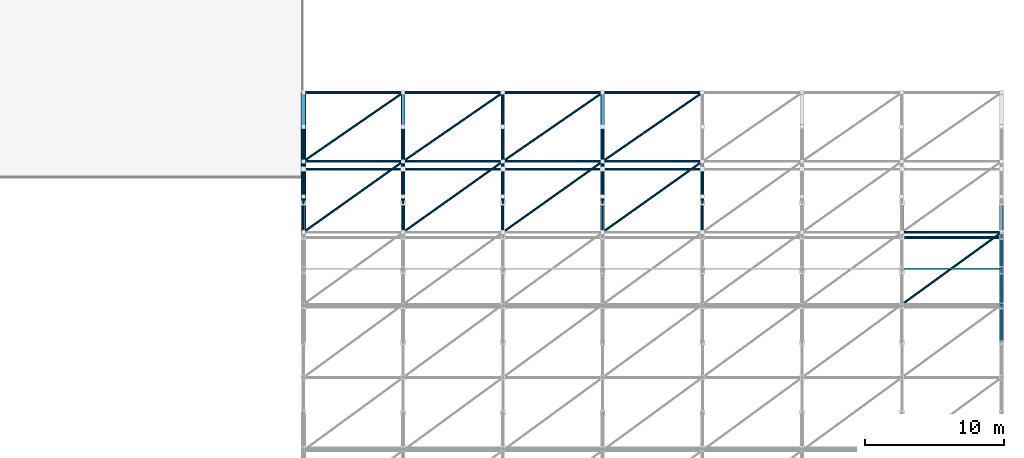
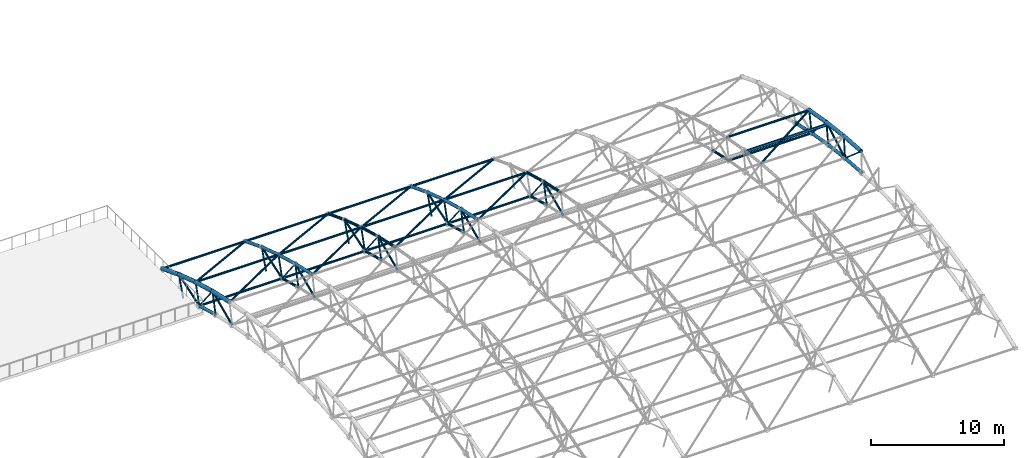
# One storey, part 22 of 41: 88 members.
"""IFC4 building model written with IfcOpenShell, lengths in metres."""

from ifc_helpers import new_model, si_unit, direction, frame, origin, origin_2d, place, context, subcontext, project, spatial, hollow_circle, i_section, extrude, material, material_profile, profile_set, type_object, element, save


model = new_model("IFC4")

# Units and contexts
model_context = context("Model", 3, precision=1e-05, world=origin(), true_north=direction((0.0, 1.0)))
body_context = subcontext(model_context, "Body", "Model", "MODEL_VIEW")
ifc_project = project(units=[si_unit("LENGTHUNIT", "METRE"), si_unit("AREAUNIT", "SQUARE_METRE"), si_unit("VOLUMEUNIT", "CUBIC_METRE"), si_unit("PLANEANGLEUNIT", "RADIAN"), si_unit("MASSUNIT", "GRAM", prefix="KILO")], contexts=[model_context])

# Site, building, storey
site_placement = place(None, origin())
site = spatial("IfcSite", under=ifc_project, at=site_placement, CompositionType="ELEMENT")
building_placement = place(site_placement, origin())
building = spatial("IfcBuilding", under=site, at=building_placement, Name="Malvenik Polytechnic", CompositionType="ELEMENT")
storey_placement = place(building_placement, frame((0.0, 0.0, 17.699951171875)))
storey = spatial("IfcBuildingStorey", under=building, at=storey_placement, Name="L04", CompositionType="ELEMENT", Elevation=17.699951171875)

# Members
ifc_material_1 = material(Name="Steel S355J2H", Category="steel")
ifc_material_profile_1 = material_profile(ifc_material_1, hollow_circle(Radius=0.136474609375, WallThickness=0.010009765625, at=origin_2d()), Name="CHS 273.0x10.0")
ifc_profile_set_1 = profile_set([ifc_material_profile_1], Name="Steel S355J2H")
member_type_1 = type_object("IfcMemberType", Name="STR-MEM-SFB-01", PredefinedType="CHORD", material=ifc_profile_set_1)
for number, where, z_axis, x_axis, name in (
    (1, (134.39990234375, 77.395263671875, 0.855224609375), (0.0, 0.964033466727, -0.265780877851), (-1.0, 0.0, 0.0), "Space-Frame Tube SFB-01 STR-SF-BC-0035"),
    (2, (184.800048828125, 67.3466796875, 2.34130859375), (0.0, 0.997310938626, -0.073286367738), (-1.0, 0.0, 0.0), "Space-Frame Tube SFB-01 STR-SF-BC-0706"),
):
    element("IfcMember", number, at=place(storey_placement, frame(where, z_axis=z_axis, x_axis=x_axis)), inside=storey, type_object=member_type_1, Name=name, PredefinedType="CHORD", context=body_context, shape_type="SweptSolid", body=[
        extrude(hollow_circle(Radius=0.136474609375, WallThickness=0.010009765625, at=origin_2d()), origin(), (0.0, 0.0, 1.0), 2.53515625),
    ])
for number, where, z_axis, x_axis, name in (
    (3, (184.800048828125, 69.883056640625, 2.15478515625), (0.0, 0.992529141181, -0.122007802646), (-1.0, 0.0, 0.0), "Space-Frame Tube SFB-01 STR-SF-BC-0708"),
    (4, (184.800048828125, 72.4072265625, 1.84423828125), (0.0, 0.985384405638, -0.170345452318), (-1.0, 0.0, 0.0), "Space-Frame Tube SFB-01 STR-SF-BC-0710"),
):
    element("IfcMember", number, at=place(storey_placement, frame(where, z_axis=z_axis, x_axis=x_axis)), inside=storey, type_object=member_type_1, Name=name, PredefinedType="CHORD", context=body_context, shape_type="SweptSolid", body=[
        extrude(hollow_circle(Radius=0.136474609375, WallThickness=0.010009765625, at=origin_2d()), origin(), (0.0, 0.0, 1.0), 2.535400390625),
    ])
member_1_placement = place(storey_placement, frame((184.800048828125, 74.913330078125, 1.41064453125), z_axis=(0.0, 0.975880203116, -0.21830673184), x_axis=(-1.0, 0.0, 0.0)))
element("IfcMember", 5, at=member_1_placement, inside=storey, type_object=member_type_1, Name="Space-Frame Tube SFB-01 STR-SF-BC-0712", PredefinedType="CHORD", context=body_context, shape_type="SweptSolid", body=[
    extrude(hollow_circle(Radius=0.136474609375, WallThickness=0.010009765625, at=origin_2d()), origin(), (0.0, 0.0, 1.0), 2.53515625),
])
ifc_material_profile_2 = material_profile(ifc_material_1, hollow_circle(Radius=0.109619140625, WallThickness=0.010009765625, at=origin_2d()), Name="CHS 219.1x10.0")
ifc_profile_set_2 = profile_set([ifc_material_profile_2], Name="Steel S355J2H")
member_type_2 = type_object("IfcMemberType", Name="STR-MEM-SFB-02", PredefinedType="CHORD", material=ifc_profile_set_2)
for number, where, z_axis, x_axis, name in (
    (6, (141.60009765625, 77.395263671875, 0.855224609375), (0.0, 0.964033466727, -0.265780877851), (-1.0, 0.0, 0.0), "Space-Frame Tube SFB-02 STR-SF-BC-0132"),
    (7, (156.0, 77.395263671875, 0.855224609375), (0.0, 0.964033466727, -0.265780877851), (-1.0, 0.0, 0.0), "Space-Frame Tube SFB-02 STR-SF-BC-0326"),
):
    element("IfcMember", number, at=place(storey_placement, frame(where, z_axis=z_axis, x_axis=x_axis)), inside=storey, type_object=member_type_2, Name=name, PredefinedType="CHORD", context=body_context, shape_type="SweptSolid", body=[
        extrude(hollow_circle(Radius=0.109619140625, WallThickness=0.010009765625, at=origin_2d()), origin(), (0.0, 0.0, 1.0), 2.53515625),
    ])
ifc_material_profile_3 = material_profile(ifc_material_1, hollow_circle(Radius=0.109619140625, WallThickness=0.008056640625, at=origin_2d()), Name="CHS 219.1x8.0")
ifc_profile_set_3 = profile_set([ifc_material_profile_3], Name="Steel S355J2H")
member_type_3 = type_object("IfcMemberType", Name="STR-MEM-SFB-03", PredefinedType="CHORD", material=ifc_profile_set_3)
for number, where, z_axis, x_axis, name in (
    (8, (148.800048828125, 77.395263671875, 0.855224609375), (0.0, 0.964033466727, -0.265780877851), (-1.0, 0.0, 0.0), "Space-Frame Tube SFB-03 STR-SF-BC-0229"),
    (9, (163.199951171875, 77.395263671875, 0.855224609375), (0.0, 0.964033466727, -0.265780877851), (-1.0, 0.0, 0.0), "Space-Frame Tube SFB-03 STR-SF-BC-0423"),
    (10, (177.60009765625, 74.913330078125, 1.41064453125), (0.0, 0.975880203116, -0.21830673184), (-1.0, 0.0, 0.0), "Space-Frame Tube SFB-03 STR-SF-BC-0615"),
):
    element("IfcMember", number, at=place(storey_placement, frame(where, z_axis=z_axis, x_axis=x_axis)), inside=storey, type_object=member_type_3, Name=name, PredefinedType="CHORD", context=body_context, shape_type="SweptSolid", body=[
        extrude(hollow_circle(Radius=0.109619140625, WallThickness=0.008056640625, at=origin_2d()), origin(), (0.0, 0.0, 1.0), 2.53515625),
    ])
ifc_material_profile_4 = material_profile(ifc_material_1, hollow_circle(Radius=0.084228515625, WallThickness=0.00634765625, at=origin_2d()), Name="CHS 168.3x6.3")
ifc_profile_set_4 = profile_set([ifc_material_profile_4], Name="Steel S355J2H")
member_type_4 = type_object("IfcMemberType", Name="STR-MEM-SFD-02", PredefinedType="BRACE", material=ifc_profile_set_4)
for number, where, z_axis, x_axis, name in (
    (11, (134.39990234375, 74.9130859375, 1.413330078125), (0.0, 0.913567424865, 0.406687300301), (-1.0, 0.0, 0.0), "Space-Frame Tube SFD-02 STR-SF-AD-0090"),
    (12, (134.39990234375, 79.846923828125, 0.181640625), (0.0, 0.948925710664, 0.315499596896), (-1.0, 0.0, 0.0), "Space-Frame Tube SFD-02 STR-SF-AD-0092"),
    (13, (141.60009765625, 74.9130859375, 1.413330078125), (0.0, 0.913567424865, 0.406687300301), (-1.0, 0.0, 0.0), "Space-Frame Tube SFD-02 STR-SF-AD-0187"),
    (14, (141.60009765625, 79.846923828125, 0.181640625), (0.0, 0.948925710664, 0.315499596896), (-1.0, 0.0, 0.0), "Space-Frame Tube SFD-02 STR-SF-AD-0189"),
    (15, (148.800048828125, 74.9130859375, 1.413330078125), (0.0, 0.913567424865, 0.406687300301), (-1.0, 0.0, 0.0), "Space-Frame Tube SFD-02 STR-SF-AD-0284"),
    (16, (148.800048828125, 79.846923828125, 0.181640625), (0.0, 0.948925710664, 0.315499596896), (-1.0, 0.0, 0.0), "Space-Frame Tube SFD-02 STR-SF-AD-0286"),
    (17, (156.0, 74.9130859375, 1.413330078125), (0.0, 0.913567424865, 0.406687300301), (-1.0, 0.0, 0.0), "Space-Frame Tube SFD-02 STR-SF-AD-0381"),
    (18, (156.0, 79.846923828125, 0.181640625), (0.0, 0.948925710664, 0.315499596896), (-1.0, 0.0, 0.0), "Space-Frame Tube SFD-02 STR-SF-AD-0383"),
    (19, (163.199951171875, 74.9130859375, 1.413330078125), (0.0, 0.913567424865, 0.406687300301), (-1.0, 0.0, 0.0), "Space-Frame Tube SFD-02 STR-SF-AD-0478"),
    (20, (184.800048828125, 69.882568359375, 2.1572265625), (0.0, 0.869477287163, 0.493972921432), (-1.0, 0.0, 0.0), "Space-Frame Tube SFD-02 STR-SF-AD-0767"),
):
    element("IfcMember", number, at=place(storey_placement, frame(where, z_axis=z_axis, x_axis=x_axis)), inside=storey, type_object=member_type_4, Name=name, PredefinedType="BRACE", context=body_context, shape_type="SweptSolid", body=[
        extrude(hollow_circle(Radius=0.084228515625, WallThickness=0.00634765625, at=origin_2d()), origin(), (0.0, 0.0, 1.0), 3.218994140625),
    ])
for number, where, z_axis, x_axis, name in (
    (21, (134.4033203125, 75.285888671875, 3.29931640625), (0.806755303568, 0.57330445785, -0.143065994473), (-0.57926325146, 0.81514053114, 0.0), "Space-Frame Tube SFD-02 STR-SF-SD-0811"),
    (22, (134.4033203125, 80.40234375, 2.022216796875), (0.80675012012, 0.556598440191, -0.198374444077), (-0.567884399756, 0.823108321252, 0.0), "Space-Frame Tube SFD-02 STR-SF-SD-0812"),
    (23, (141.603271484375, 75.285888671875, 3.29931640625), (0.806764863232, 0.573291793869, -0.143062834223), (-0.57925018849, 0.81514981392, 0.0), "Space-Frame Tube SFD-02 STR-SF-SD-0853"),
):
    element("IfcMember", number, at=place(storey_placement, frame(where, z_axis=z_axis, x_axis=x_axis)), inside=storey, type_object=member_type_4, Name=name, PredefinedType="BRACE", context=body_context, shape_type="SweptSolid", body=[
        extrude(hollow_circle(Radius=0.084228515625, WallThickness=0.00634765625, at=origin_2d()), origin(), (0.0, 0.0, 1.0), 8.91650390625),
    ])
member_2_placement = place(storey_placement, frame((141.603271484375, 80.40234375, 2.022216796875), z_axis=(0.806759679952, 0.556586145395, -0.19837006215), x_axis=(-0.567871341818, 0.823117330119, 0.0)))
element("IfcMember", 24, at=member_2_placement, inside=storey, type_object=member_type_4, Name="Space-Frame Tube SFD-02 STR-SF-SD-0854", PredefinedType="BRACE", context=body_context, shape_type="SweptSolid", body=[
    extrude(hollow_circle(Radius=0.084228515625, WallThickness=0.00634765625, at=origin_2d()), origin(), (0.0, 0.0, 1.0), 8.916748046875),
])
member_3_placement = place(storey_placement, frame((148.80322265625, 75.285888671875, 3.29931640625), z_axis=(0.806764863232, 0.573291793869, -0.143062834223), x_axis=(-0.57925018849, 0.81514981392, 0.0)))
element("IfcMember", 25, at=member_3_placement, inside=storey, type_object=member_type_4, Name="Space-Frame Tube SFD-02 STR-SF-SD-0895", PredefinedType="BRACE", context=body_context, shape_type="SweptSolid", body=[
    extrude(hollow_circle(Radius=0.084228515625, WallThickness=0.00634765625, at=origin_2d()), origin(), (0.0, 0.0, 1.0), 8.91650390625),
])
member_4_placement = place(storey_placement, frame((148.80322265625, 80.40234375, 2.022216796875), z_axis=(0.806759679952, 0.556586145395, -0.19837006215), x_axis=(-0.567871341818, 0.823117330119, 0.0)))
element("IfcMember", 26, at=member_4_placement, inside=storey, type_object=member_type_4, Name="Space-Frame Tube SFD-02 STR-SF-SD-0896", PredefinedType="BRACE", context=body_context, shape_type="SweptSolid", body=[
    extrude(hollow_circle(Radius=0.084228515625, WallThickness=0.00634765625, at=origin_2d()), origin(), (0.0, 0.0, 1.0), 8.916748046875),
])
member_5_placement = place(storey_placement, frame((156.003173828125, 75.285888671875, 3.29931640625), z_axis=(0.806764863232, 0.573291793869, -0.143062834223), x_axis=(-0.57925018849, 0.81514981392, 0.0)))
element("IfcMember", 27, at=member_5_placement, inside=storey, type_object=member_type_4, Name="Space-Frame Tube SFD-02 STR-SF-SD-0937", PredefinedType="BRACE", context=body_context, shape_type="SweptSolid", body=[
    extrude(hollow_circle(Radius=0.084228515625, WallThickness=0.00634765625, at=origin_2d()), origin(), (0.0, 0.0, 1.0), 8.91650390625),
])
for number, where, z_axis, x_axis, name in (
    (28, (156.003173828125, 80.40234375, 2.022216796875), (0.806759679952, 0.556586145395, -0.19837006215), (-0.567871341818, 0.823117330119, 0.0), "Space-Frame Tube SFD-02 STR-SF-SD-0938"),
    (29, (177.603271484375, 70.0693359375, 4.07080078125), (0.806752867448, 0.58453646588, -0.086411405045), (-0.586731110708, 0.80978182477, 0.0), "Space-Frame Tube SFD-02 STR-SF-SD-1062"),
):
    element("IfcMember", number, at=place(storey_placement, frame(where, z_axis=z_axis, x_axis=x_axis)), inside=storey, type_object=member_type_4, Name=name, PredefinedType="BRACE", context=body_context, shape_type="SweptSolid", body=[
        extrude(hollow_circle(Radius=0.084228515625, WallThickness=0.00634765625, at=origin_2d()), origin(), (0.0, 0.0, 1.0), 8.916748046875),
    ])
ifc_material_profile_5 = material_profile(ifc_material_1, hollow_circle(Radius=0.06982421875, WallThickness=0.00634765625, at=origin_2d()), Name="CHS 139.7x6.3")
ifc_profile_set_5 = profile_set([ifc_material_profile_5], Name="Steel S355J2H")
member_type_5 = type_object("IfcMemberType", Name="STR-MEM-SFD-03", PredefinedType="BRACE", material=ifc_profile_set_5)
member_6_placement = place(storey_placement, frame((134.39990234375, 77.392333984375, 0.8603515625), z_axis=(0.0, 0.242116055397, 0.970247296167), x_axis=(-1.0, 0.0, 0.0)))
element("IfcMember", 30, at=member_6_placement, inside=storey, type_object=member_type_5, Name="Space-Frame Tube SFD-03 STR-SF-WB-0066", PredefinedType="BRACE", context=body_context, shape_type="SweptSolid", body=[
    extrude(hollow_circle(Radius=0.06982421875, WallThickness=0.00634765625, at=origin_2d()), origin(), (0.0, 0.0, 1.0), 1.9169921875),
])
member_7_placement = place(storey_placement, frame((134.39990234375, 79.844482421875, 0.18408203125), z_axis=(0.0, 0.289204975311, 0.957267194808), x_axis=(-1.0, 0.0, 0.0)))
element("IfcMember", 31, at=member_7_placement, inside=storey, type_object=member_type_5, Name="Space-Frame Tube SFD-03 STR-SF-WB-0067", PredefinedType="BRACE", context=body_context, shape_type="SweptSolid", body=[
    extrude(hollow_circle(Radius=0.06982421875, WallThickness=0.00634765625, at=origin_2d()), origin(), (0.0, 0.0, 1.0), 1.917236328125),
])
for number, where, z_axis, x_axis, name in (
    (32, (134.39990234375, 82.260498046875, -0.61083984375), (0.0, 0.335723149579, 0.941960703446), (-1.0, 0.0, 0.0), "Space-Frame Tube SFD-03 STR-SF-WB-0068"),
    (33, (141.60009765625, 77.392333984375, 0.8603515625), (0.0, 0.242116055397, 0.970247296167), (-1.0, 0.0, 0.0), "Space-Frame Tube SFD-03 STR-SF-WB-0163"),
):
    element("IfcMember", number, at=place(storey_placement, frame(where, z_axis=z_axis, x_axis=x_axis)), inside=storey, type_object=member_type_5, Name=name, PredefinedType="BRACE", context=body_context, shape_type="SweptSolid", body=[
        extrude(hollow_circle(Radius=0.06982421875, WallThickness=0.00634765625, at=origin_2d()), origin(), (0.0, 0.0, 1.0), 1.9169921875),
    ])
member_8_placement = place(storey_placement, frame((141.60009765625, 79.844482421875, 0.18408203125), z_axis=(0.0, 0.289204975311, 0.957267194808), x_axis=(-1.0, 0.0, 0.0)))
element("IfcMember", 34, at=member_8_placement, inside=storey, type_object=member_type_5, Name="Space-Frame Tube SFD-03 STR-SF-WB-0164", PredefinedType="BRACE", context=body_context, shape_type="SweptSolid", body=[
    extrude(hollow_circle(Radius=0.06982421875, WallThickness=0.00634765625, at=origin_2d()), origin(), (0.0, 0.0, 1.0), 1.917236328125),
])
for number, where, z_axis, x_axis, name in (
    (35, (141.60009765625, 82.260498046875, -0.61083984375), (0.0, 0.335723149579, 0.941960703446), (-1.0, 0.0, 0.0), "Space-Frame Tube SFD-03 STR-SF-WB-0165"),
    (36, (148.800048828125, 77.392333984375, 0.8603515625), (0.0, 0.242116055397, 0.970247296167), (-1.0, 0.0, 0.0), "Space-Frame Tube SFD-03 STR-SF-WB-0260"),
):
    element("IfcMember", number, at=place(storey_placement, frame(where, z_axis=z_axis, x_axis=x_axis)), inside=storey, type_object=member_type_5, Name=name, PredefinedType="BRACE", context=body_context, shape_type="SweptSolid", body=[
        extrude(hollow_circle(Radius=0.06982421875, WallThickness=0.00634765625, at=origin_2d()), origin(), (0.0, 0.0, 1.0), 1.9169921875),
    ])
member_9_placement = place(storey_placement, frame((148.800048828125, 79.844482421875, 0.18408203125), z_axis=(0.0, 0.289204975311, 0.957267194808), x_axis=(-1.0, 0.0, 0.0)))
element("IfcMember", 37, at=member_9_placement, inside=storey, type_object=member_type_5, Name="Space-Frame Tube SFD-03 STR-SF-WB-0261", PredefinedType="BRACE", context=body_context, shape_type="SweptSolid", body=[
    extrude(hollow_circle(Radius=0.06982421875, WallThickness=0.00634765625, at=origin_2d()), origin(), (0.0, 0.0, 1.0), 1.917236328125),
])
for number, where, z_axis, x_axis, name in (
    (38, (148.800048828125, 82.260498046875, -0.61083984375), (0.0, 0.335723149579, 0.941960703446), (-1.0, 0.0, 0.0), "Space-Frame Tube SFD-03 STR-SF-WB-0262"),
    (39, (156.0, 77.392333984375, 0.8603515625), (0.0, 0.242116055397, 0.970247296167), (-1.0, 0.0, 0.0), "Space-Frame Tube SFD-03 STR-SF-WB-0357"),
):
    element("IfcMember", number, at=place(storey_placement, frame(where, z_axis=z_axis, x_axis=x_axis)), inside=storey, type_object=member_type_5, Name=name, PredefinedType="BRACE", context=body_context, shape_type="SweptSolid", body=[
        extrude(hollow_circle(Radius=0.06982421875, WallThickness=0.00634765625, at=origin_2d()), origin(), (0.0, 0.0, 1.0), 1.9169921875),
    ])
member_10_placement = place(storey_placement, frame((156.0, 79.844482421875, 0.18408203125), z_axis=(0.0, 0.289204975311, 0.957267194808), x_axis=(-1.0, 0.0, 0.0)))
element("IfcMember", 40, at=member_10_placement, inside=storey, type_object=member_type_5, Name="Space-Frame Tube SFD-03 STR-SF-WB-0358", PredefinedType="BRACE", context=body_context, shape_type="SweptSolid", body=[
    extrude(hollow_circle(Radius=0.06982421875, WallThickness=0.00634765625, at=origin_2d()), origin(), (0.0, 0.0, 1.0), 1.917236328125),
])
for number, where, z_axis, x_axis, name in (
    (41, (156.0, 82.260498046875, -0.61083984375), (0.0, 0.335723149579, 0.941960703446), (-1.0, 0.0, 0.0), "Space-Frame Tube SFD-03 STR-SF-WB-0359"),
    (42, (163.199951171875, 77.392333984375, 0.8603515625), (0.0, 0.242116055397, 0.970247296167), (-1.0, 0.0, 0.0), "Space-Frame Tube SFD-03 STR-SF-WB-0454"),
):
    element("IfcMember", number, at=place(storey_placement, frame(where, z_axis=z_axis, x_axis=x_axis)), inside=storey, type_object=member_type_5, Name=name, PredefinedType="BRACE", context=body_context, shape_type="SweptSolid", body=[
        extrude(hollow_circle(Radius=0.06982421875, WallThickness=0.00634765625, at=origin_2d()), origin(), (0.0, 0.0, 1.0), 1.9169921875),
    ])
member_11_placement = place(storey_placement, frame((184.800048828125, 69.87939453125, 2.1591796875), z_axis=(0.0, 0.09767529924, 0.995218335803), x_axis=(-1.0, 0.0, 0.0)))
element("IfcMember", 43, at=member_11_placement, inside=storey, type_object=member_type_5, Name="Space-Frame Tube SFD-03 STR-SF-WB-0742", PredefinedType="BRACE", context=body_context, shape_type="SweptSolid", body=[
    extrude(hollow_circle(Radius=0.06982421875, WallThickness=0.00634765625, at=origin_2d()), origin(), (0.0, 0.0, 1.0), 1.917236328125),
])
member_12_placement = place(storey_placement, frame((184.800048828125, 72.40380859375, 1.848876953125), z_axis=(0.0, 0.146197883622, 0.989255365831), x_axis=(-1.0, 0.0, 0.0)))
element("IfcMember", 44, at=member_12_placement, inside=storey, type_object=member_type_5, Name="Space-Frame Tube SFD-03 STR-SF-WB-0743", PredefinedType="BRACE", context=body_context, shape_type="SweptSolid", body=[
    extrude(hollow_circle(Radius=0.06982421875, WallThickness=0.00634765625, at=origin_2d()), origin(), (0.0, 0.0, 1.0), 1.9169921875),
])
member_13_placement = place(storey_placement, frame((184.800048828125, 74.910400390625, 1.41552734375), z_axis=(0.0, 0.194328084871, 0.980936590933), x_axis=(-1.0, 0.0, 0.0)))
element("IfcMember", 45, at=member_13_placement, inside=storey, type_object=member_type_5, Name="Space-Frame Tube SFD-03 STR-SF-WB-0744", PredefinedType="BRACE", context=body_context, shape_type="SweptSolid", body=[
    extrude(hollow_circle(Radius=0.06982421875, WallThickness=0.00634765625, at=origin_2d()), origin(), (0.0, 0.0, 1.0), 1.917236328125),
])
ifc_material_profile_6 = material_profile(ifc_material_1, hollow_circle(Radius=0.05712890625, WallThickness=0.0048828125, at=origin_2d()), Name="CHS 114.3x5.0")
ifc_profile_set_6 = profile_set([ifc_material_profile_6], Name="Steel S355J2H")
member_type_6 = type_object("IfcMemberType", Name="STR-MEM-SFD-04", PredefinedType="BRACE", material=ifc_profile_set_6)
for number, where, z_axis, x_axis, name in (
    (46, (134.39990234375, 77.860107421875, 2.720947265625), (0.0, 0.615336380621, -0.788264637469), (-1.0, 0.0, 0.0), "Space-Frame Tube SFD-04 STR-SF-AD-0091"),
    (47, (141.60009765625, 77.860107421875, 2.720947265625), (0.0, 0.615336380621, -0.788264637469), (-1.0, 0.0, 0.0), "Space-Frame Tube SFD-04 STR-SF-AD-0188"),
    (48, (148.800048828125, 77.860107421875, 2.720947265625), (0.0, 0.615336380621, -0.788264637469), (-1.0, 0.0, 0.0), "Space-Frame Tube SFD-04 STR-SF-AD-0285"),
    (49, (156.0, 77.860107421875, 2.720947265625), (0.0, 0.615336380621, -0.788264637469), (-1.0, 0.0, 0.0), "Space-Frame Tube SFD-04 STR-SF-AD-0382"),
    (50, (163.199951171875, 77.860107421875, 2.720947265625), (0.0, 0.615336380621, -0.788264637469), (-1.0, 0.0, 0.0), "Space-Frame Tube SFD-04 STR-SF-AD-0479"),
    (51, (184.800048828125, 67.439697265625, 4.26171875), (0.0, 0.756869052153, -0.653566552), (-1.0, 0.0, 0.0), "Space-Frame Tube SFD-04 STR-SF-AD-0766"),
    (52, (184.800048828125, 72.6875, 3.746337890625), (0.0, 0.689408937301, -0.724372360854), (-1.0, 0.0, 0.0), "Space-Frame Tube SFD-04 STR-SF-AD-0768"),
):
    element("IfcMember", number, at=place(storey_placement, frame(where, z_axis=z_axis, x_axis=x_axis)), inside=storey, type_object=member_type_6, Name=name, PredefinedType="BRACE", context=body_context, shape_type="SweptSolid", body=[
        extrude(hollow_circle(Radius=0.05712890625, WallThickness=0.0048828125, at=origin_2d()), origin(), (0.0, 0.0, 1.0), 3.218994140625),
    ])
ifc_material_profile_7 = material_profile(ifc_material_1, hollow_circle(Radius=0.096923828125, WallThickness=0.008056640625, at=origin_2d()), Name="CHS 193.7x8.0")
ifc_profile_set_7 = profile_set([ifc_material_profile_7], Name="Steel S355J2H")
member_type_7 = type_object("IfcMemberType", Name="STR-MEM-SFL-01", PredefinedType="CHORD", material=ifc_profile_set_7)
for number, where, z_axis, x_axis, name in (
    (53, (134.404052734375, 79.84326171875, 0.180419921875), (1.0, 0.0, 0.0), (0.0, 1.0, 0.0), "Space-Frame Tube SFL-01 STR-SF-LB-0795"),
    (54, (134.404052734375, 80.400146484375, 2.02294921875), (1.0, 0.0, 0.0), (0.0, 1.0, 0.0), "Space-Frame Tube SFL-01 STR-SF-LT-0796"),
    (55, (134.404052734375, 85.367431640625, 0.25244140625), (1.0, 0.0, 0.0), (0.0, 1.0, 0.0), "Space-Frame Tube SFL-01 STR-SF-LT-0798"),
    (56, (141.60400390625, 79.84326171875, 0.180419921875), (1.0, 0.0, 0.0), (0.0, 1.0, 0.0), "Space-Frame Tube SFL-01 STR-SF-LB-0837"),
    (57, (141.60400390625, 80.400146484375, 2.02294921875), (1.0, 0.0, 0.0), (0.0, 1.0, 0.0), "Space-Frame Tube SFL-01 STR-SF-LT-0838"),
    (58, (141.60400390625, 85.367431640625, 0.25244140625), (1.0, 0.0, 0.0), (0.0, 1.0, 0.0), "Space-Frame Tube SFL-01 STR-SF-LT-0840"),
):
    element("IfcMember", number, at=place(storey_placement, frame(where, z_axis=z_axis, x_axis=x_axis)), inside=storey, type_object=member_type_7, Name=name, PredefinedType="CHORD", context=body_context, shape_type="SweptSolid", body=[
        extrude(hollow_circle(Radius=0.096923828125, WallThickness=0.008056640625, at=origin_2d()), origin(), (0.0, 0.0, 1.0), 7.19189453125),
    ])
for number, where, z_axis, x_axis, name in (
    (59, (148.803955078125, 79.84326171875, 0.180419921875), (1.0, 0.0, 0.0), (0.0, 1.0, 0.0), "Space-Frame Tube SFL-01 STR-SF-LB-0879"),
    (60, (148.803955078125, 80.400146484375, 2.02294921875), (1.0, 0.0, 0.0), (0.0, 1.0, 0.0), "Space-Frame Tube SFL-01 STR-SF-LT-0880"),
    (61, (148.803955078125, 85.367431640625, 0.25244140625), (1.0, 0.0, 0.0), (0.0, 1.0, 0.0), "Space-Frame Tube SFL-01 STR-SF-LT-0882"),
    (62, (156.00390625, 79.84326171875, 0.180419921875), (1.0, 0.0, 0.0), (0.0, 1.0, 0.0), "Space-Frame Tube SFL-01 STR-SF-LB-0921"),
    (63, (156.00390625, 80.400146484375, 2.02294921875), (1.0, 0.0, 0.0), (0.0, 1.0, 0.0), "Space-Frame Tube SFL-01 STR-SF-LT-0922"),
    (64, (156.00390625, 85.367431640625, 0.25244140625), (1.0, 0.0, 0.0), (0.0, 1.0, 0.0), "Space-Frame Tube SFL-01 STR-SF-LT-0924"),
):
    element("IfcMember", number, at=place(storey_placement, frame(where, z_axis=z_axis, x_axis=x_axis)), inside=storey, type_object=member_type_7, Name=name, PredefinedType="CHORD", context=body_context, shape_type="SweptSolid", body=[
        extrude(hollow_circle(Radius=0.096923828125, WallThickness=0.008056640625, at=origin_2d()), origin(), (0.0, 0.0, 1.0), 7.192138671875),
    ])
for number, where, z_axis, x_axis, name in (
    (65, (177.60400390625, 74.909423828125, 1.41162109375), (1.0, 0.0, 0.0), (0.0, 1.0, 0.0), "Space-Frame Tube SFL-01 STR-SF-LB-1045"),
    (66, (177.60400390625, 75.28369140625, 3.300048828125), (1.0, 0.0, 0.0), (0.0, 1.0, 0.0), "Space-Frame Tube SFL-01 STR-SF-LT-1046"),
):
    element("IfcMember", number, at=place(storey_placement, frame(where, z_axis=z_axis, x_axis=x_axis)), inside=storey, type_object=member_type_7, Name=name, PredefinedType="CHORD", context=body_context, shape_type="SweptSolid", body=[
        extrude(hollow_circle(Radius=0.096923828125, WallThickness=0.008056640625, at=origin_2d()), origin(), (0.0, 0.0, 1.0), 7.19189453125),
    ])
ifc_material_2 = material(Name="Steel S355", Category="steel")
ifc_material_profile_8 = material_profile(ifc_material_2, i_section(OverallWidth=0.1201171875, OverallDepth=0.239990234375, WebThickness=0.006103515625, FlangeThickness=0.009765625, FilletRadius=0.014892578125, at=origin_2d()), Name="IPE 240")
ifc_profile_set_8 = profile_set([ifc_material_profile_8], Name="Steel S355")
member_type_8 = type_object("IfcMemberType", Name="STR-MEM-SFP-01", PredefinedType="PURLIN", material=ifc_profile_set_8)
member_14_placement = place(storey_placement, frame((177.6201171875, 72.65478515625, 3.54638671875), z_axis=(1.0, 0.0, 0.0), x_axis=(0.0, 1.0, 0.0)))
element("IfcMember", 67, at=member_14_placement, inside=storey, type_object=member_type_8, Name="Vault Roof Purlin SFP-01 #1069", PredefinedType="PURLIN", context=body_context, shape_type="SweptSolid", body=[
    extrude(i_section(OverallWidth=0.1201171875, OverallDepth=0.239990234375, WebThickness=0.006103515625, FlangeThickness=0.009765625, FilletRadius=0.014892578125, at=origin_2d()), origin(), (0.0, 0.0, 1.0), 7.159912109375),
])
ifc_material_profile_9 = material_profile(ifc_material_1, hollow_circle(Radius=0.177734375, WallThickness=0.012451171875, at=origin_2d()), Name="CHS 355.6x12.5")
ifc_profile_set_9 = profile_set([ifc_material_profile_9], Name="Steel S355J2H")
member_type_9 = type_object("IfcMemberType", Name="STR-MEM-SFT-01", PredefinedType="CHORD", material=ifc_profile_set_9)
for number, where, z_axis, x_axis, name in (
    (68, (134.39990234375, 75.28759765625, 3.299072265625), (0.0, 0.975862636311, -0.218385244586), (-1.0, 0.0, 0.0), "Space-Frame Tube SFT-01 STR-SF-TC-0034"),
    (69, (134.39990234375, 77.861328125, 2.722900390625), (0.0, 0.964046768425, -0.265732625564), (-1.0, 0.0, 0.0), "Space-Frame Tube SFT-01 STR-SF-TC-0036"),
    (70, (134.39990234375, 80.40380859375, 2.021728515625), (0.0, 0.949910921272, -0.312520785945), (-1.0, 0.0, 0.0), "Space-Frame Tube SFT-01 STR-SF-TC-0038"),
):
    element("IfcMember", number, at=place(storey_placement, frame(where, z_axis=z_axis, x_axis=x_axis)), inside=storey, type_object=member_type_9, Name=name, PredefinedType="CHORD", context=body_context, shape_type="SweptSolid", body=[
        extrude(hollow_circle(Radius=0.177734375, WallThickness=0.012451171875, at=origin_2d()), origin(), (0.0, 0.0, 1.0), 2.62939453125),
    ])
member_15_placement = place(storey_placement, frame((134.39990234375, 82.9091796875, 1.197265625), z_axis=(0.0, 0.93343650429, -0.358742654921), x_axis=(-1.0, 0.0, 0.0)))
element("IfcMember", 71, at=member_15_placement, inside=storey, type_object=member_type_9, Name="Space-Frame Tube SFT-01 STR-SF-TC-0040", PredefinedType="CHORD", context=body_context, shape_type="SweptSolid", body=[
    extrude(hollow_circle(Radius=0.177734375, WallThickness=0.012451171875, at=origin_2d()), origin(), (0.0, 0.0, 1.0), 2.629638671875),
])
ifc_material_profile_10 = material_profile(ifc_material_1, hollow_circle(Radius=0.136474609375, WallThickness=0.012451171875, at=origin_2d()), Name="CHS 273.0x12.5")
ifc_profile_set_10 = profile_set([ifc_material_profile_10], Name="Steel S355J2H")
member_type_10 = type_object("IfcMemberType", Name="STR-MEM-SFT-02", PredefinedType="CHORD", material=ifc_profile_set_10)
for number, where, z_axis, x_axis, name in (
    (72, (141.60009765625, 75.28759765625, 3.299072265625), (0.0, 0.975862636311, -0.218385244586), (-1.0, 0.0, 0.0), "Space-Frame Tube SFT-02 STR-SF-TC-0131"),
    (73, (141.60009765625, 77.861328125, 2.722900390625), (0.0, 0.964046768425, -0.265732625564), (-1.0, 0.0, 0.0), "Space-Frame Tube SFT-02 STR-SF-TC-0133"),
    (74, (141.60009765625, 80.40380859375, 2.021728515625), (0.0, 0.949910921272, -0.312520785945), (-1.0, 0.0, 0.0), "Space-Frame Tube SFT-02 STR-SF-TC-0135"),
):
    element("IfcMember", number, at=place(storey_placement, frame(where, z_axis=z_axis, x_axis=x_axis)), inside=storey, type_object=member_type_10, Name=name, PredefinedType="CHORD", context=body_context, shape_type="SweptSolid", body=[
        extrude(hollow_circle(Radius=0.136474609375, WallThickness=0.012451171875, at=origin_2d()), origin(), (0.0, 0.0, 1.0), 2.62939453125),
    ])
member_16_placement = place(storey_placement, frame((141.60009765625, 82.9091796875, 1.197265625), z_axis=(0.0, 0.93343650429, -0.358742654921), x_axis=(-1.0, 0.0, 0.0)))
element("IfcMember", 75, at=member_16_placement, inside=storey, type_object=member_type_10, Name="Space-Frame Tube SFT-02 STR-SF-TC-0137", PredefinedType="CHORD", context=body_context, shape_type="SweptSolid", body=[
    extrude(hollow_circle(Radius=0.136474609375, WallThickness=0.012451171875, at=origin_2d()), origin(), (0.0, 0.0, 1.0), 2.629638671875),
])
for number, where, z_axis, x_axis, name in (
    (76, (156.0, 75.28759765625, 3.299072265625), (0.0, 0.975862636311, -0.218385244586), (-1.0, 0.0, 0.0), "Space-Frame Tube SFT-02 STR-SF-TC-0325"),
    (77, (156.0, 77.861328125, 2.722900390625), (0.0, 0.964046768425, -0.265732625564), (-1.0, 0.0, 0.0), "Space-Frame Tube SFT-02 STR-SF-TC-0327"),
    (78, (156.0, 80.40380859375, 2.021728515625), (0.0, 0.949910921272, -0.312520785945), (-1.0, 0.0, 0.0), "Space-Frame Tube SFT-02 STR-SF-TC-0329"),
):
    element("IfcMember", number, at=place(storey_placement, frame(where, z_axis=z_axis, x_axis=x_axis)), inside=storey, type_object=member_type_10, Name=name, PredefinedType="CHORD", context=body_context, shape_type="SweptSolid", body=[
        extrude(hollow_circle(Radius=0.136474609375, WallThickness=0.012451171875, at=origin_2d()), origin(), (0.0, 0.0, 1.0), 2.62939453125),
    ])
member_17_placement = place(storey_placement, frame((156.0, 82.9091796875, 1.197265625), z_axis=(0.0, 0.93343650429, -0.358742654921), x_axis=(-1.0, 0.0, 0.0)))
element("IfcMember", 79, at=member_17_placement, inside=storey, type_object=member_type_10, Name="Space-Frame Tube SFT-02 STR-SF-TC-0331", PredefinedType="CHORD", context=body_context, shape_type="SweptSolid", body=[
    extrude(hollow_circle(Radius=0.136474609375, WallThickness=0.012451171875, at=origin_2d()), origin(), (0.0, 0.0, 1.0), 2.629638671875),
])
ifc_material_profile_11 = material_profile(ifc_material_1, hollow_circle(Radius=0.122314453125, WallThickness=0.010009765625, at=origin_2d()), Name="CHS 244.5x10.0")
ifc_profile_set_11 = profile_set([ifc_material_profile_11], Name="Steel S355J2H")
member_type_11 = type_object("IfcMemberType", Name="STR-MEM-SFT-03", PredefinedType="CHORD", material=ifc_profile_set_11)
for number, where, z_axis, x_axis, name in (
    (80, (148.800048828125, 75.28759765625, 3.299072265625), (0.0, 0.975862636311, -0.218385244586), (-1.0, 0.0, 0.0), "Space-Frame Tube SFT-03 STR-SF-TC-0228"),
    (81, (148.800048828125, 77.861328125, 2.722900390625), (0.0, 0.964046768425, -0.265732625564), (-1.0, 0.0, 0.0), "Space-Frame Tube SFT-03 STR-SF-TC-0230"),
    (82, (148.800048828125, 80.40380859375, 2.021728515625), (0.0, 0.949910921272, -0.312520785945), (-1.0, 0.0, 0.0), "Space-Frame Tube SFT-03 STR-SF-TC-0232"),
):
    element("IfcMember", number, at=place(storey_placement, frame(where, z_axis=z_axis, x_axis=x_axis)), inside=storey, type_object=member_type_11, Name=name, PredefinedType="CHORD", context=body_context, shape_type="SweptSolid", body=[
        extrude(hollow_circle(Radius=0.122314453125, WallThickness=0.010009765625, at=origin_2d()), origin(), (0.0, 0.0, 1.0), 2.62939453125),
    ])
member_18_placement = place(storey_placement, frame((148.800048828125, 82.9091796875, 1.197265625), z_axis=(0.0, 0.93343650429, -0.358742654921), x_axis=(-1.0, 0.0, 0.0)))
element("IfcMember", 83, at=member_18_placement, inside=storey, type_object=member_type_11, Name="Space-Frame Tube SFT-03 STR-SF-TC-0234", PredefinedType="CHORD", context=body_context, shape_type="SweptSolid", body=[
    extrude(hollow_circle(Radius=0.122314453125, WallThickness=0.010009765625, at=origin_2d()), origin(), (0.0, 0.0, 1.0), 2.629638671875),
])
for number, where, z_axis, x_axis, name in (
    (84, (163.199951171875, 75.28759765625, 3.299072265625), (0.0, 0.975862636311, -0.218385244586), (-1.0, 0.0, 0.0), "Space-Frame Tube SFT-03 STR-SF-TC-0422"),
    (85, (163.199951171875, 77.861328125, 2.722900390625), (0.0, 0.964046768425, -0.265732625564), (-1.0, 0.0, 0.0), "Space-Frame Tube SFT-03 STR-SF-TC-0424"),
):
    element("IfcMember", number, at=place(storey_placement, frame(where, z_axis=z_axis, x_axis=x_axis)), inside=storey, type_object=member_type_11, Name=name, PredefinedType="CHORD", context=body_context, shape_type="SweptSolid", body=[
        extrude(hollow_circle(Radius=0.122314453125, WallThickness=0.010009765625, at=origin_2d()), origin(), (0.0, 0.0, 1.0), 2.62939453125),
    ])
ifc_material_profile_12 = material_profile(ifc_material_1, hollow_circle(Radius=0.161865234375, WallThickness=0.012451171875, at=origin_2d()), Name="CHS 323.9x12.5")
ifc_profile_set_12 = profile_set([ifc_material_profile_12], Name="Steel S355J2H")
member_type_12 = type_object("IfcMemberType", Name="STR-MEM-SFT-04", PredefinedType="CHORD", material=ifc_profile_set_12)
for number, where, z_axis, x_axis, name in (
    (86, (184.800048828125, 67.440673828125, 4.26416015625), (0.0, 0.997306127173, -0.073351814586), (-1.0, 0.0, 0.0), "Space-Frame Tube SFT-04 STR-SF-TC-0707"),
    (87, (184.800048828125, 70.071044921875, 4.070556640625), (0.0, 0.99253004874, -0.122000419462), (-1.0, 0.0, 0.0), "Space-Frame Tube SFT-04 STR-SF-TC-0709"),
    (88, (184.800048828125, 72.688720703125, 3.74853515625), (0.0, 0.985379595625, -0.170373274095), (-1.0, 0.0, 0.0), "Space-Frame Tube SFT-04 STR-SF-TC-0711"),
):
    element("IfcMember", number, at=place(storey_placement, frame(where, z_axis=z_axis, x_axis=x_axis)), inside=storey, type_object=member_type_12, Name=name, PredefinedType="CHORD", context=body_context, shape_type="SweptSolid", body=[
        extrude(hollow_circle(Radius=0.161865234375, WallThickness=0.012451171875, at=origin_2d()), origin(), (0.0, 0.0, 1.0), 2.62939453125),
    ])

save(model, "model.ifc")
